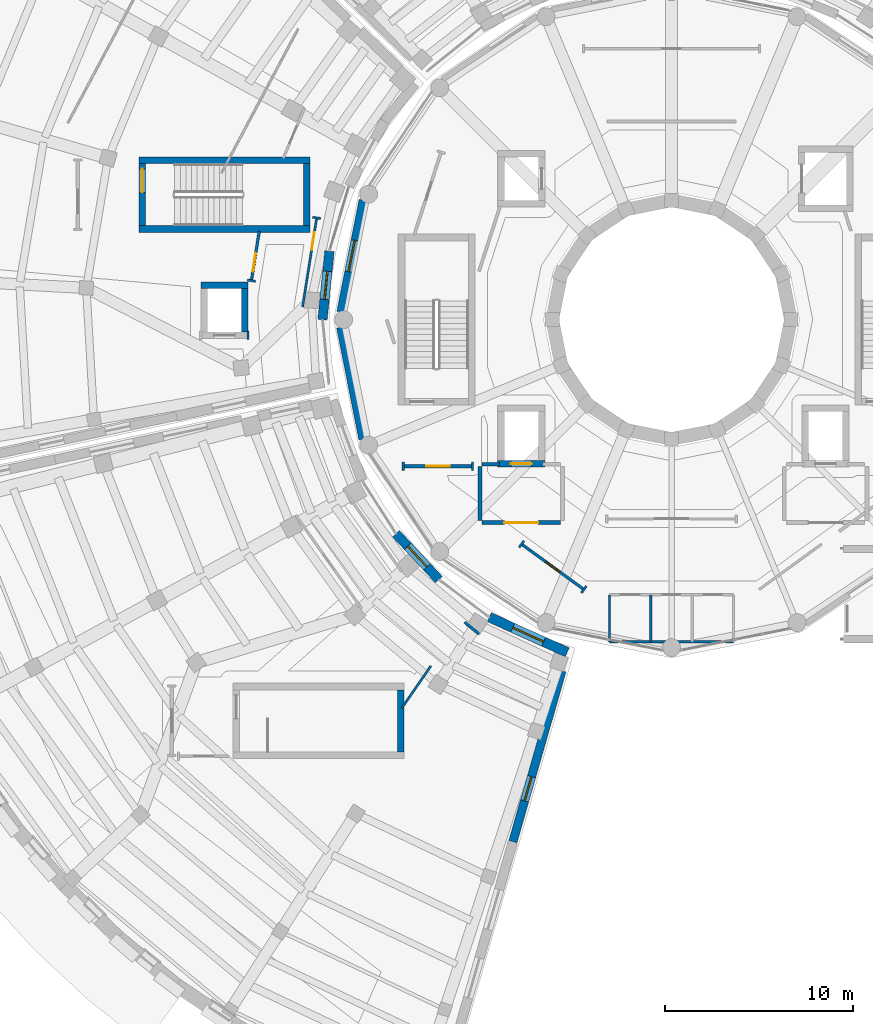
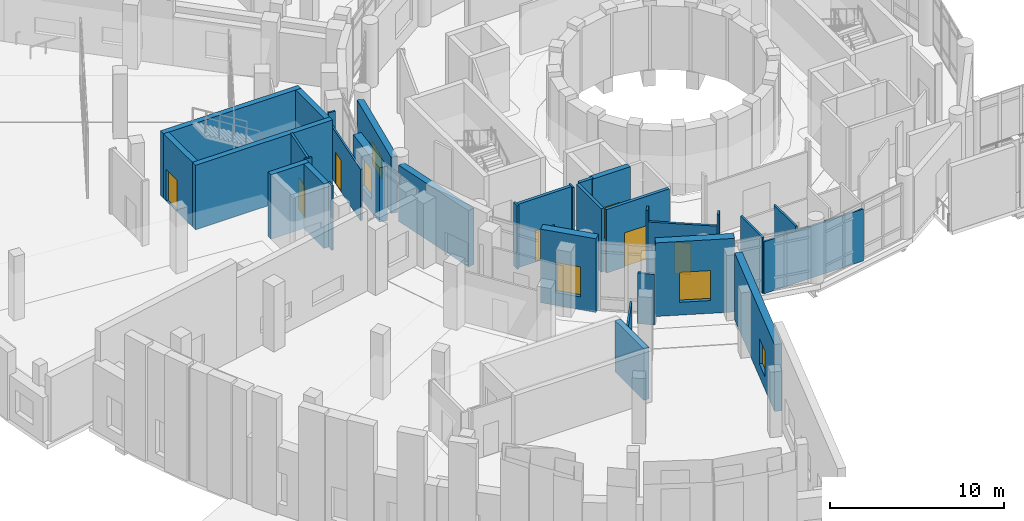
# One storey, part 62 of 89: 33 walls, 7 doors, 5 windows, 12 openings.
"""IFC4 building model written with IfcOpenShell, lengths in metres."""

from ifc_helpers import new_model, si_unit, direction, frame, frame_2d, origin, place, context, subcontext, project, spatial, rectangle, extrude, material, layer, layer_set, type_object, element, fill, save


model = new_model("IFC4")

# Units and contexts
model_context = context("Model", 3, precision=1e-05, world=origin(), true_north=direction((0.0, 1.0)))
body_context = subcontext(model_context, "Body", "Model", "MODEL_VIEW")
ifc_project = project(units=[si_unit("LENGTHUNIT", "METRE"), si_unit("AREAUNIT", "SQUARE_METRE"), si_unit("VOLUMEUNIT", "CUBIC_METRE"), si_unit("PLANEANGLEUNIT", "RADIAN"), si_unit("MASSUNIT", "GRAM", prefix="KILO")], contexts=[model_context])

# Site, building, storey
site_placement = place(None, origin())
site = spatial("IfcSite", under=ifc_project, at=site_placement, CompositionType="ELEMENT")
building_placement = place(site_placement, origin())
building = spatial("IfcBuilding", under=site, at=building_placement, Name="Soyqirgoq Riverine Aquarium", CompositionType="ELEMENT")
storey_placement = place(building_placement, frame((0.0, 0.0, 5.39990234375)))
storey = spatial("IfcBuildingStorey", under=building, at=storey_placement, Name="L02", CompositionType="ELEMENT", Elevation=5.39990234375)

# Wall, opening, door
ifc_material_1 = material(Name="Concrete C40/50", Category="concrete")
ifc_layer_1 = layer(ifc_material_1, 0.35009765625)
ifc_layer_set_1 = layer_set([ifc_layer_1], Name="Concrete C40/50")
wall_type_1 = type_object("IfcWallType", Name="CoreShearWall_350_C40", PredefinedType="SHEAR", material=ifc_layer_set_1)
wall_1_placement = place(storey_placement, frame((46.7451171875, 49.320068359375, 0.0), z_axis=(0.0, 0.0, 1.0), x_axis=(1.0, 0.0, 0.0)))
wall_1 = element("IfcWall", 1, at=wall_1_placement, inside=storey, type_object=wall_type_1, Name="Lift FFL-2 Shaft Wall L02 1", PredefinedType="SHEAR", context=body_context, shape_type="SweptSolid", body=[
    extrude(rectangle(XDim=2.509765625, YDim=0.35009765625, at=frame_2d((1.2548828125, 0.0))), origin(), (0.0, 0.0, 1.0), 4.4501953125),
])
opening_1_placement = place(wall_1_placement, frame((0.705078125, 0.0, 0.0)))
opening_1 = element("IfcOpeningElement", 2, at=opening_1_placement, cuts=wall_1, Name="Opening LD-01", PredefinedType="OPENING", context=body_context, shape_type="SweptSolid", body=[
    extrude(rectangle(XDim=1.10009765625, YDim=2.199951171875, at=frame_2d((0.550048828125, 1.10009765625))), frame((0.0, 0.18505859375, 0.0), z_axis=(0.0, -1.0, 0.0), x_axis=(1.0, 0.0, 0.0)), (0.0, 0.0, 1.0), 0.3701171875),
])
ifc_material_2 = material(Name="Brushed stainless steel telescopic lift landing door", Category="steel")
door_type_1 = type_object("IfcDoorType", Name="LiftLandingDoor_1100x2200", OperationType="SLIDING_TO_LEFT", PredefinedType="DOOR", material=ifc_material_2)
door_1_placement = place(opening_1_placement, origin())
door_1 = element("IfcDoor", 3, at=door_1_placement, inside=storey, type_object=door_type_1, Name="LD-FFL-2-L02 Lift FFL-2 L02 Sliding Landing Door", OperationType="SLIDING_TO_LEFT", OverallHeight=2.199951171875, OverallWidth=1.10009765625, PredefinedType="DOOR", context=body_context, shape_type="SweptSolid", body=[
    extrude(rectangle(XDim=1.10009765625, YDim=2.199951171875, at=frame_2d((0.550048828125, 1.10009765625))), frame((0.0, 0.02490234375, 0.0), z_axis=(0.0, -1.0, 0.0), x_axis=(1.0, 0.0, 0.0)), (0.0, 0.0, 1.0), 0.050048828125),
])
fill(opening_1, door_1)

# Walls
wall_2_placement = place(storey_placement, frame((41.574951171875, 34.0, 0.0), z_axis=(0.0, 0.0, 1.0), x_axis=(0.0, 1.0, 0.0)))
element("IfcWall", 4, at=wall_2_placement, inside=storey, type_object=wall_type_1, Name="CORE-2 L02 Stair Core Shear Wall BACK", PredefinedType="SHEAR", context=body_context, shape_type="SweptSolid", body=[
    extrude(rectangle(XDim=3.300048828125, YDim=0.35009765625, at=frame_2d((1.64990234375, 0.0))), origin(), (0.0, 0.0, 1.0), 3.60009765625),
])
wall_3_placement = place(storey_placement, frame((27.64990234375, 61.824951171875, 0.0), z_axis=(0.0, 0.0, 1.0), x_axis=(1.0, 0.0, 0.0)))
element("IfcWall", 5, at=wall_3_placement, inside=storey, type_object=wall_type_1, Name="CORE-3 L02 Stair Core Shear Wall SIDE1", PredefinedType="SHEAR", context=body_context, shape_type="SweptSolid", body=[
    extrude(rectangle(XDim=9.10009765625, YDim=0.35009765625, at=frame_2d((4.550048828125, 0.0))), origin(), (0.0, 0.0, 1.0), 4.52001953125),
])
wall_4_placement = place(storey_placement, frame((36.574951171875, 62.0, 0.0), z_axis=(0.0, 0.0, 1.0), x_axis=(0.0, 1.0, 0.0)))
element("IfcWall", 6, at=wall_4_placement, inside=storey, type_object=wall_type_1, Name="CORE-3 L02 Stair Core Shear Wall BACK", PredefinedType="SHEAR", context=body_context, shape_type="SweptSolid", body=[
    extrude(rectangle(XDim=3.300048828125, YDim=0.35009765625, at=frame_2d((1.64990234375, 0.0))), origin(), (0.0, 0.0, 1.0), 4.52001953125),
])
wall_5_placement = place(storey_placement, frame((36.75, 65.47509765625, 0.0), z_axis=(0.0, 0.0, 1.0), x_axis=(-1.0, 0.0, 0.0)))
element("IfcWall", 7, at=wall_5_placement, inside=storey, type_object=wall_type_1, Name="CORE-3 L02 Stair Core Shear Wall SIDE2", PredefinedType="SHEAR", context=body_context, shape_type="SweptSolid", body=[
    extrude(rectangle(XDim=9.10009765625, YDim=0.35009765625, at=frame_2d((4.550048828125, 0.0))), origin(), (0.0, 0.0, 1.0), 4.52001953125),
])

# Wall, opening, door
wall_6_placement = place(storey_placement, frame((27.824951171875, 65.300048828125, 0.0), z_axis=(0.0, 0.0, 1.0), x_axis=(0.0, -1.0, 0.0)))
wall_6 = element("IfcWall", 8, at=wall_6_placement, inside=storey, type_object=wall_type_1, Name="CORE-3 L02 Stair Core Shear Wall FRONT", PredefinedType="SHEAR", context=body_context, shape_type="SweptSolid", body=[
    extrude(rectangle(XDim=3.300048828125, YDim=0.35009765625, at=frame_2d((1.64990234375, 0.0))), origin(), (0.0, 0.0, 1.0), 4.52001953125),
])
opening_2_placement = place(wall_6_placement, frame((0.280029296875, 0.0, 0.0)))
opening_2 = element("IfcOpeningElement", 9, at=opening_2_placement, cuts=wall_6, Name="Opening FD-01", PredefinedType="OPENING", context=body_context, shape_type="SweptSolid", body=[
    extrude(rectangle(XDim=1.25, YDim=2.199951171875, at=frame_2d((0.625, 1.10009765625))), frame((0.0, 0.18505859375, 0.0), z_axis=(0.0, -1.0, 0.0), x_axis=(1.0, 0.0, 0.0)), (0.0, 0.0, 1.0), 0.3701171875),
])
ifc_material_3 = material(Name="Galvanised steel fire-resisting stair door", Category="steel")
door_type_2 = type_object("IfcDoorType", Name="StairFireDoor_1250x2200_EI90", OperationType="NOTDEFINED", PredefinedType="DOOR", material=ifc_material_3)
door_2_placement = place(opening_2_placement, origin())
door_2 = element("IfcDoor", 10, at=door_2_placement, inside=storey, type_object=door_type_2, Name="DR-ST-3-L02 ST-3 L02 Fire-Rated Stairwell Door", OperationType="SINGLE_SWING_LEFT", OverallHeight=2.199951171875, OverallWidth=1.25, PredefinedType="DOOR", context=body_context, shape_type="SweptSolid", body=[
    extrude(rectangle(XDim=1.25, YDim=2.199951171875, at=frame_2d((0.625, 1.10009765625))), frame((0.0, 0.02490234375, 0.0), z_axis=(0.0, -1.0, 0.0), x_axis=(1.0, 0.0, 0.0)), (0.0, 0.0, 1.0), 0.050048828125),
])
fill(opening_2, door_2)

# Walls
wall_7_placement = place(storey_placement, frame((33.280029296875, 56.344970703125, 0.0), z_axis=(0.0, 0.0, 1.0), x_axis=(0.0, 1.0, 0.0)))
element("IfcWall", 11, at=wall_7_placement, inside=storey, type_object=wall_type_1, Name="Lift PL-2 Shaft Wall L02 2", PredefinedType="SHEAR", context=body_context, shape_type="SweptSolid", body=[
    extrude(rectangle(XDim=2.31005859375, YDim=0.35009765625, at=frame_2d((1.155029296875, 0.0))), origin(), (0.0, 0.0, 1.0), 4.52001953125),
])
wall_8_placement = place(storey_placement, frame((33.455078125, 58.830078125, 0.0), z_axis=(0.0, 0.0, 1.0), x_axis=(-1.0, 0.0, 0.0)))
element("IfcWall", 12, at=wall_8_placement, inside=storey, type_object=wall_type_1, Name="Lift PL-2 Shaft Wall L02 3", PredefinedType="SHEAR", context=body_context, shape_type="SweptSolid", body=[
    extrude(rectangle(XDim=2.510009765625, YDim=0.35009765625, at=frame_2d((1.2548828125, 0.0))), origin(), (0.0, 0.0, 1.0), 4.52001953125),
])
ifc_material_4 = material(Name="Lightweight steel-stud gypsum partition", Category="steel")
ifc_layer_2 = layer(ifc_material_4, 0.1201171875)
ifc_layer_set_2 = layer_set([ifc_layer_2], Name="Lightweight steel-stud gypsum partition")
wall_type_2 = type_object("IfcWallType", Name="PartitionWall_120_Std", PredefinedType="PARTITIONING", material=ifc_layer_set_2)
for number, where, z_axis, x_axis, name in (
    (13, (41.723388671875, 48.97998046875, 0.0), (0.0, 0.0, 1.0), (0.0, 1.0, 0.0), "V1 L02 Jamb Return Pier"),
    (14, (45.39990234375, 48.97998046875, 0.0), (0.0, 0.0, 1.0), (0.0, 1.0, 0.0), "V1 L02 Jamb Return Pier"),
    (15, (47.885986328125, 44.8720703125, 0.0), (0.0, 0.0, 1.0), (0.587676645097, 0.809095890984, 0.0), "V1 L02 Jamb Return Pier"),
    (16, (51.20458984375, 42.4609375, 0.0), (0.0, 0.0, 1.0), (0.587676645097, 0.809095890984, 0.0), "V1 L02 Jamb Return Pier"),
):
    element("IfcWall", number, at=place(storey_placement, frame(where, z_axis=z_axis, x_axis=x_axis)), inside=storey, type_object=wall_type_2, Name=name, PredefinedType="PARTITIONING", context=body_context, shape_type="SweptSolid", body=[
        extrude(rectangle(XDim=0.43994140625, YDim=0.1201171875, at=frame_2d((0.219970703125, 0.0))), origin(), (0.0, 0.0, 1.0), 4.4501953125),
    ])
wall_9_placement = place(storey_placement, frame((41.64306640625, 36.32958984375, 0.0), z_axis=(0.0, 0.0, 1.0), x_axis=(0.567900399443, 0.823097282411, 0.0)))
element("IfcWall", 17, at=wall_9_placement, inside=storey, type_object=wall_type_2, Name="Members' Reading Lounge Partition Wall", PredefinedType="PARTITIONING", context=body_context, shape_type="SweptSolid", body=[
    extrude(rectangle(XDim=2.7255859375, YDim=0.1201171875, at=frame_2d((1.36279296875, 0.0))), origin(), (0.0, 0.0, 1.0), 3.550048828125),
])

# Wall, opening, door
wall_10_placement = place(storey_placement, frame((36.362060546875, 57.685791015625, 0.0), z_axis=(0.0, 0.0, 1.0), x_axis=(0.156391852422, 0.987695088829, 0.0)))
wall_10 = element("IfcWall", 18, at=wall_10_placement, inside=storey, type_object=wall_type_2, Name="V3 Gallery Circulation Corridor Partition Wall", PredefinedType="PARTITIONING", context=body_context, shape_type="SweptSolid", body=[
    extrude(rectangle(XDim=4.789306640625, YDim=0.1201171875, at=frame_2d((2.39453125, 0.0))), origin(), (0.0, 0.0, 1.0), 3.610107421875),
])
opening_3_placement = place(wall_10_placement, frame((3.071533203125, 0.0, 0.0)))
opening_3 = element("IfcOpeningElement", 19, at=opening_3_placement, cuts=wall_10, Name="Opening ID-06", PredefinedType="OPENING", context=body_context, shape_type="SweptSolid", body=[
    extrude(rectangle(XDim=0.949951171875, YDim=2.199951171875, at=frame_2d((0.47509765625, 1.10009765625))), frame((0.0, 0.070068359375, 0.0), z_axis=(0.0, -1.0, 0.0), x_axis=(1.0, 0.0, 0.0)), (0.0, 0.0, 1.0), 0.14013671875),
])
ifc_material_5 = material(Name="Moisture-resistant HPL washroom door", Category="wood")
door_type_3 = type_object("IfcDoorType", Name="WCDoor_950x2200", OperationType="NOTDEFINED", PredefinedType="DOOR", material=ifc_material_5)
door_3_placement = place(opening_3_placement, origin())
door_3 = element("IfcDoor", 20, at=door_3_placement, inside=storey, type_object=door_type_3, Name="IDR-V3-L02-0096 Aral Basin Gallery Door", OperationType="SINGLE_SWING_LEFT", OverallHeight=2.199951171875, OverallWidth=0.949951171875, PredefinedType="DOOR", context=body_context, shape_type="SweptSolid", body=[
    extrude(rectangle(XDim=0.949951171875, YDim=2.199951171875, at=frame_2d((0.47509765625, 1.10009765625))), frame((0.0, 0.02490234375, 0.0), z_axis=(0.0, -1.0, 0.0), x_axis=(1.0, 0.0, 0.0)), (0.0, 0.0, 1.0), 0.050048828125),
])
fill(opening_3, door_3)

# Walls
wall_11_placement = place(storey_placement, frame((33.455078125, 55.949951171875, 0.0), z_axis=(0.0, 0.0, 1.0), x_axis=(0.0, 1.0, 0.0)))
element("IfcWall", 21, at=wall_11_placement, inside=storey, type_object=wall_type_2, Name="V3 L02 Jamb Return Pier", PredefinedType="PARTITIONING", context=body_context, shape_type="SweptSolid", body=[
    extrude(rectangle(XDim=0.43994140625, YDim=0.1201171875, at=frame_2d((0.219970703125, 0.0))), origin(), (0.0, 0.0, 1.0), 4.52001953125),
])
wall_12_placement = place(storey_placement, frame((37.32861328125, 62.3818359375, 0.0), z_axis=(0.0, 0.0, 1.0), x_axis=(-0.987695424831, 0.156389730378, 0.0)))
element("IfcWall", 22, at=wall_12_placement, inside=storey, type_object=wall_type_2, Name="V3 L02 Jamb Return Pier", PredefinedType="PARTITIONING", context=body_context, shape_type="SweptSolid", body=[
    extrude(rectangle(XDim=0.440185546875, YDim=0.1201171875, at=frame_2d((0.22021484375, 0.0))), origin(), (0.0, 0.0, 1.0), 4.52001953125),
])
wall_13_placement = place(storey_placement, frame((33.854736328125, 59.041748046875, 0.0), z_axis=(0.0, 0.0, 1.0), x_axis=(-0.98768185006, 0.156475439167, 0.0)))
element("IfcWall", 23, at=wall_13_placement, inside=storey, type_object=wall_type_2, Name="V3 L02 Jamb Return Pier", PredefinedType="PARTITIONING", context=body_context, shape_type="SweptSolid", body=[
    extrude(rectangle(XDim=0.43994140625, YDim=0.1201171875, at=frame_2d((0.219970703125, 0.0))), origin(), (0.0, 0.0, 1.0), 4.52001953125),
])
ifc_material_6 = material(Name="Moisture-resistant cement-board wet-room partition", Category="gypsum")
ifc_layer_3 = layer(ifc_material_6, 0.125)
ifc_layer_set_3 = layer_set([ifc_layer_3], Name="Moisture-resistant cement-board wet-room partition")
wall_type_3 = type_object("IfcWallType", Name="PartitionWall_125_Wet", PredefinedType="PARTITIONING", material=ifc_layer_set_3)
wall_14_placement = place(storey_placement, frame((52.699951171875, 39.85009765625, 0.0), z_axis=(0.0, 0.0, 1.0), x_axis=(1.0, 0.0, 0.0)))
element("IfcWall", 24, at=wall_14_placement, inside=storey, type_object=wall_type_3, Name="V1 L02 WC Suite Back Wall", PredefinedType="PARTITIONING", context=body_context, shape_type="SweptSolid", body=[
    extrude(rectangle(XDim=6.60009765625, YDim=0.125, at=frame_2d((3.300048828125, 0.0))), origin(), (0.0, 0.0, 1.0), 3.64013671875),
])
for number, where, z_axis, x_axis, name in (
    (25, (52.699951171875, 39.85009765625, 0.0), (0.0, 0.0, 1.0), (0.0, 1.0, 0.0), "V1 L02 WC Suite West Wall"),
    (26, (54.89990234375, 39.85009765625, 0.0), (0.0, 0.0, 1.0), (0.0, 1.0, 0.0), "V1 L02 WC Cubicle Divider 1"),
):
    element("IfcWall", number, at=place(storey_placement, frame(where, z_axis=z_axis, x_axis=x_axis)), inside=storey, type_object=wall_type_3, Name=name, PredefinedType="PARTITIONING", context=body_context, shape_type="SweptSolid", body=[
        extrude(rectangle(XDim=2.5, YDim=0.125, at=frame_2d((1.25, 0.0))), origin(), (0.0, 0.0, 1.0), 3.940185546875),
    ])

# Wall, opening, door
ifc_material_7 = material(Name="Acoustic mineral-wool twin-stud partition", Category="gypsum")
ifc_layer_4 = layer(ifc_material_7, 0.14990234375)
ifc_layer_set_4 = layer_set([ifc_layer_4], Name="Acoustic mineral-wool twin-stud partition")
wall_type_4 = type_object("IfcWallType", Name="PartitionWall_150_Acoustic", PredefinedType="PARTITIONING", material=ifc_layer_set_4)
wall_15_placement = place(storey_placement, frame((48.015380859375, 45.050048828125, 0.0), z_axis=(0.0, 0.0, 1.0), x_axis=(0.808993389874, -0.587817739729, 0.0)))
wall_15 = element("IfcWall", 27, at=wall_15_placement, inside=storey, type_object=wall_type_4, Name="Ocean Drum Circulation Corridor Partition Wall", PredefinedType="PARTITIONING", context=body_context, shape_type="SweptSolid", body=[
    extrude(rectangle(XDim=4.101806640625, YDim=0.14990234375, at=frame_2d((2.05078125, 0.0))), origin(), (0.0, 0.0, 1.0), 3.5400390625),
])
opening_4_placement = place(wall_15_placement, frame((1.575927734375, 0.0, 0.0)))
opening_4 = element("IfcOpeningElement", 28, at=opening_4_placement, cuts=wall_15, Name="Opening ID-06", PredefinedType="OPENING", context=body_context, shape_type="SweptSolid", body=[
    extrude(rectangle(XDim=0.949951171875, YDim=2.199951171875, at=frame_2d((0.47509765625, 1.10009765625))), frame((0.0, 0.0849609375, 0.0), z_axis=(0.0, -1.0, 0.0), x_axis=(1.0, 0.0, 0.0)), (0.0, 0.0, 1.0), 0.169921875),
])
door_4_placement = place(opening_4_placement, origin())
door_4 = element("IfcDoor", 29, at=door_4_placement, inside=storey, type_object=door_type_3, Name="IDR-V1-L02-0032 Ocean Drum Circulation Corridor Access Door", OperationType="SINGLE_SWING_LEFT", OverallHeight=2.199951171875, OverallWidth=0.949951171875, PredefinedType="DOOR", context=body_context, shape_type="SweptSolid", body=[
    extrude(rectangle(XDim=0.949951171875, YDim=2.199951171875, at=frame_2d((0.47509765625, 1.10009765625))), frame((0.0, 0.02490234375, 0.0), z_axis=(0.0, -1.0, 0.0), x_axis=(1.0, 0.0, 0.0)), (0.0, 0.0, 1.0), 0.050048828125),
])
fill(opening_4, door_4)

# Wall
wall_16_placement = place(storey_placement, frame((44.986572265625, 40.894287109375, 0.0), z_axis=(0.0, 0.0, 1.0), x_axis=(0.774366027636, -0.632737904067, 0.0)))
element("IfcWall", 30, at=wall_16_placement, inside=storey, type_object=wall_type_4, Name="Mountain Stream Exhibit Room Partition Wall", PredefinedType="PARTITIONING", context=body_context, shape_type="SweptSolid", body=[
    extrude(rectangle(XDim=0.984375, YDim=0.14990234375, at=frame_2d((0.4921875, 0.0))), origin(), (0.0, 0.0, 1.0), 3.550048828125),
])

# Wall, opening, door
wall_17_placement = place(storey_placement, frame((33.637451171875, 59.076171875, 0.0), z_axis=(0.0, 0.0, 1.0), x_axis=(0.156485085327, 0.9876803218, 0.0)))
wall_17 = element("IfcWall", 31, at=wall_17_placement, inside=storey, type_object=wall_type_4, Name="Aral Basin Gallery Partition Wall", PredefinedType="PARTITIONING", context=body_context, shape_type="SweptSolid", body=[
    extrude(rectangle(XDim=2.6630859375, YDim=0.14990234375, at=frame_2d((1.33154296875, 0.0))), origin(), (0.0, 0.0, 1.0), 4.52001953125),
])
opening_5_placement = place(wall_17_placement, frame((0.4912109375, 0.0, 0.0)))
opening_5 = element("IfcOpeningElement", 32, at=opening_5_placement, cuts=wall_17, Name="Opening ID-03", PredefinedType="OPENING", context=body_context, shape_type="SweptSolid", body=[
    extrude(rectangle(XDim=1.0, YDim=2.199951171875, at=frame_2d((0.5, 1.10009765625))), frame((0.0, 0.0849609375, 0.0), z_axis=(0.0, -1.0, 0.0), x_axis=(1.0, 0.0, 0.0)), (0.0, 0.0, 1.0), 0.169921875),
])
ifc_material_8 = material(Name="Solid-core ash veneer room door", Category="wood")
door_type_4 = type_object("IfcDoorType", Name="RoomDoor_1000x2200", OperationType="NOTDEFINED", PredefinedType="DOOR", material=ifc_material_8)
door_5_placement = place(opening_5_placement, origin())
door_5 = element("IfcDoor", 33, at=door_5_placement, inside=storey, type_object=door_type_4, Name="IDR-V3-L02-0097 V3 Gallery Circulation Corridor Door", OperationType="SINGLE_SWING_RIGHT", OverallHeight=2.199951171875, OverallWidth=1.0, PredefinedType="DOOR", context=body_context, shape_type="SweptSolid", body=[
    extrude(rectangle(XDim=1.0, YDim=2.199951171875, at=frame_2d((0.5, 1.10009765625))), frame((0.0, 0.02490234375, 0.0), z_axis=(0.0, -1.0, 0.0), x_axis=(1.0, 0.0, 0.0)), (0.0, 0.0, 1.0), 0.050048828125),
])
fill(opening_5, door_5)

ifc_material_9 = material(Name="Fire-rated calcium silicate twin-stud partition", Category="gypsum")
ifc_layer_5 = layer(ifc_material_9, 0.199951171875)
ifc_layer_set_5 = layer_set([ifc_layer_5], Name="Fire-rated calcium silicate twin-stud partition")
wall_type_5 = type_object("IfcWallType", Name="PartitionWall_200_EI90", PredefinedType="PARTITIONING", material=ifc_layer_set_5)
wall_18_placement = place(storey_placement, frame((45.919921875, 46.199951171875, 0.0), z_axis=(0.0, 0.0, 1.0), x_axis=(1.0, 0.0, 0.0)))
wall_18 = element("IfcWall", 34, at=wall_18_placement, inside=storey, type_object=wall_type_5, Name="CORE-1B L02 Firefighting Lobby South Enclosure Wall", PredefinedType="PARTITIONING", context=body_context, shape_type="SweptSolid", body=[
    extrude(rectangle(XDim=4.16015625, YDim=0.199951171875, at=frame_2d((2.080078125, 0.0))), origin(), (0.0, 0.0, 1.0), 4.4501953125),
])
opening_6_placement = place(wall_18_placement, frame((1.179931640625, 0.0, 0.0)))
opening_6 = element("IfcOpeningElement", 35, at=opening_6_placement, cuts=wall_18, Name="Opening FD-02", PredefinedType="OPENING", context=body_context, shape_type="SweptSolid", body=[
    extrude(rectangle(XDim=1.800048828125, YDim=2.39990234375, at=frame_2d((0.89990234375, 1.199951171875))), frame((0.0, 0.10986328125, 0.0), z_axis=(0.0, -1.0, 0.0), x_axis=(1.0, 0.0, 0.0)), (0.0, 0.0, 1.0), 0.219970703125),
])
ifc_material_10 = material(Name="Glazed steel fire-resisting corridor double door", Category="steel")
door_type_5 = type_object("IfcDoorType", Name="LobbyFireDoor_1800x2400_EI60", OperationType="DOUBLE_DOOR_SINGLE_SWING", PredefinedType="DOOR", material=ifc_material_10)
door_6_placement = place(opening_6_placement, origin())
door_6 = element("IfcDoor", 36, at=door_6_placement, inside=storey, type_object=door_type_5, Name="DR-FFL-CORE-1B-L02 CORE-1B L02 Firefighting Lobby Fire Door", OperationType="DOUBLE_DOOR_SINGLE_SWING", OverallHeight=2.39990234375, OverallWidth=1.800048828125, PredefinedType="DOOR", context=body_context, shape_type="SweptSolid", body=[
    extrude(rectangle(XDim=1.800048828125, YDim=2.39990234375, at=frame_2d((0.89990234375, 1.199951171875))), frame((0.0, 0.02490234375, 0.0), z_axis=(0.0, -1.0, 0.0), x_axis=(1.0, 0.0, 0.0)), (0.0, 0.0, 1.0), 0.050048828125),
])
fill(opening_6, door_6)

# Walls
wall_19_placement = place(storey_placement, frame((45.800048828125, 46.320068359375, 0.0), z_axis=(0.0, 0.0, 1.0), x_axis=(0.0, 1.0, 0.0)))
element("IfcWall", 37, at=wall_19_placement, inside=storey, type_object=wall_type_5, Name="CORE-1B L02 Firefighting Lobby W Wall", PredefinedType="PARTITIONING", context=body_context, shape_type="SweptSolid", body=[
    extrude(rectangle(XDim=2.85986328125, YDim=0.199951171875, at=frame_2d((1.429931640625, 0.0))), origin(), (0.0, 0.0, 1.0), 4.4501953125),
])
wall_20_placement = place(storey_placement, frame((45.919921875, 49.300048828125, 0.0), z_axis=(0.0, 0.0, 1.0), x_axis=(1.0, 0.0, 0.0)))
element("IfcWall", 38, at=wall_20_placement, inside=storey, type_object=wall_type_5, Name="CORE-1B L02 Firefighting Lobby NL Wall", PredefinedType="PARTITIONING", context=body_context, shape_type="SweptSolid", body=[
    extrude(rectangle(XDim=0.93017578125, YDim=0.199951171875, at=frame_2d((0.465087890625, 0.0))), origin(), (0.0, 0.0, 1.0), 4.4501953125),
])

# Wall, opening, door
wall_21_placement = place(storey_placement, frame((41.723388671875, 49.199951171875, 0.0), z_axis=(0.0, 0.0, 1.0), x_axis=(1.0, 0.0, 0.0)))
wall_21 = element("IfcWall", 39, at=wall_21_placement, inside=storey, type_object=wall_type_5, Name="Stair Vestibule ST-9 Fire Enclosure Wall", PredefinedType="PARTITIONING", context=body_context, shape_type="SweptSolid", body=[
    extrude(rectangle(XDim=3.676513671875, YDim=0.199951171875, at=frame_2d((1.83837890625, 0.0))), origin(), (0.0, 0.0, 1.0), 4.4501953125),
])
opening_7_placement = place(wall_21_placement, frame((1.21337890625, 0.0, 0.0)))
opening_7 = element("IfcOpeningElement", 40, at=opening_7_placement, cuts=wall_21, Name="Opening FD-01", PredefinedType="OPENING", context=body_context, shape_type="SweptSolid", body=[
    extrude(rectangle(XDim=1.25, YDim=2.199951171875, at=frame_2d((0.625, 1.10009765625))), frame((0.0, 0.10986328125, 0.0), z_axis=(0.0, -1.0, 0.0), x_axis=(1.0, 0.0, 0.0)), (0.0, 0.0, 1.0), 0.219970703125),
])
door_7_placement = place(opening_7_placement, origin())
door_7 = element("IfcDoor", 41, at=door_7_placement, inside=storey, type_object=door_type_2, Name="IDR-V1-L02-0027 Stair Vestibule ST-9 Egress Fire Door", OperationType="SINGLE_SWING_LEFT", OverallHeight=2.199951171875, OverallWidth=1.25, PredefinedType="DOOR", context=body_context, shape_type="SweptSolid", body=[
    extrude(rectangle(XDim=1.25, YDim=2.199951171875, at=frame_2d((0.625, 1.10009765625))), frame((0.0, 0.02490234375, 0.0), z_axis=(0.0, -1.0, 0.0), x_axis=(1.0, 0.0, 0.0)), (0.0, 0.0, 1.0), 0.050048828125),
])
fill(opening_7, door_7)

# Wall, opening, window
ifc_material_11 = material(Name="Honed travertine limestone cavity wall", Category="masonry")
ifc_layer_6 = layer(ifc_material_11, 0.449951171875)
ifc_layer_set_6 = layer_set([ifc_layer_6], Name="Honed travertine limestone cavity wall")
wall_type_6 = type_object("IfcWallType", Name="TravertineCavityWall_450", PredefinedType="SOLIDWALL", material=ifc_layer_set_6)
wall_22_placement = place(storey_placement, frame((50.164306640625, 38.318115234375, 0.0), z_axis=(0.0, 0.0, 1.0), x_axis=(-0.275609677068, -0.961269632261, 0.0)))
wall_22 = element("IfcWall", 42, at=wall_22_placement, inside=storey, type_object=wall_type_6, Name="V2 L02 Exterior Travertine Wall 0076", PredefinedType="SOLIDWALL", context=body_context, shape_type="SweptSolid", body=[
    extrude(rectangle(XDim=9.47021484375, YDim=0.449951171875, at=frame_2d((4.735107421875, 0.0))), origin(), (0.0, 0.0, 1.0), 4.693359375),
])
opening_8_placement = place(wall_22_placement, frame((5.860107421875, 0.0, 0.89990234375)))
opening_8 = element("IfcOpeningElement", 43, at=opening_8_placement, cuts=wall_22, Name="Opening WN-08", PredefinedType="OPENING", context=body_context, shape_type="SweptSolid", body=[
    extrude(rectangle(XDim=1.35009765625, YDim=1.800048828125, at=frame_2d((0.675048828125, 0.89990234375))), frame((0.0, 0.23486328125, 0.0), z_axis=(0.0, -1.0, 0.0), x_axis=(1.0, 0.0, 0.0)), (0.0, 0.0, 1.0), 0.469970703125),
])
ifc_material_12 = material(Name="Thermally broken aluminium triple low-E window", Category="aluminium")
window_type_1 = type_object("IfcWindowType", Name="Win_Office_1350x1800", PartitioningType="DOUBLE_PANEL_VERTICAL", PredefinedType="WINDOW", material=ifc_material_12)
window_1_placement = place(opening_8_placement, origin())
window_1 = element("IfcWindow", 44, at=window_1_placement, inside=storey, type_object=window_type_1, Name="V2 L02 Facade Window 0038", OverallHeight=1.800048828125, OverallWidth=1.35009765625, PartitioningType="DOUBLE_PANEL_VERTICAL", PredefinedType="WINDOW", context=body_context, shape_type="SweptSolid", body=[
    extrude(rectangle(XDim=1.35009765625, YDim=1.800048828125, at=frame_2d((0.675048828125, 0.89990234375))), frame((0.0, 0.030029296875, 0.0), z_axis=(0.0, -1.0, 0.0), x_axis=(1.0, 0.0, 0.0)), (0.0, 0.0, 1.0), 0.06005859375),
])
fill(opening_8, window_1)

ifc_material_13 = material(Name="Honed travertine limestone cavity wall", Category="masonry")
ifc_layer_7 = layer(ifc_material_13, 0.5)
ifc_layer_set_7 = layer_set([ifc_layer_7], Name="Honed travertine limestone cavity wall")
wall_type_7 = type_object("IfcWallType", Name="TravertineCavityWall_500", PredefinedType="SOLIDWALL", material=ifc_layer_set_7)
wall_23_placement = place(storey_placement, frame((41.333251953125, 45.609619140625, 0.0), z_axis=(0.0, 0.0, 1.0), x_axis=(0.681967080434, -0.731382869094, 0.0)))
wall_23 = element("IfcWall", 45, at=wall_23_placement, inside=storey, type_object=wall_type_7, Name="V2 L02 Exterior Travertine Wall 0074", PredefinedType="SOLIDWALL", context=body_context, shape_type="SweptSolid", body=[
    extrude(rectangle(XDim=3.3447265625, YDim=0.5, at=frame_2d((1.67236328125, 0.0))), origin(), (0.0, 0.0, 1.0), 5.16015625),
])
opening_9_placement = place(wall_23_placement, frame((0.92236328125, 0.0, 0.89990234375)))
opening_9 = element("IfcOpeningElement", 46, at=opening_9_placement, cuts=wall_23, Name="Opening WN-04", PredefinedType="OPENING", context=body_context, shape_type="SweptSolid", body=[
    extrude(rectangle(XDim=1.5, YDim=2.10009765625, at=frame_2d((0.75, 1.050048828125))), frame((0.0, 0.260009765625, 0.0), z_axis=(0.0, -1.0, 0.0), x_axis=(1.0, 0.0, 0.0)), (0.0, 0.0, 1.0), 0.52001953125),
])
ifc_material_14 = material(Name="Thermally broken aluminium triple low-E window", Category="aluminium")
window_type_2 = type_object("IfcWindowType", Name="Win_Gallery_1500x2100", PartitioningType="DOUBLE_PANEL_VERTICAL", PredefinedType="WINDOW", material=ifc_material_14)
window_2_placement = place(opening_9_placement, origin())
window_2 = element("IfcWindow", 47, at=window_2_placement, inside=storey, type_object=window_type_2, Name="V2 L02 Facade Window 0036", OverallHeight=2.10009765625, OverallWidth=1.5, PartitioningType="DOUBLE_PANEL_VERTICAL", PredefinedType="WINDOW", context=body_context, shape_type="SweptSolid", body=[
    extrude(rectangle(XDim=1.5, YDim=2.10009765625, at=frame_2d((0.75, 1.050048828125))), frame((0.0, 0.030029296875, 0.0), z_axis=(0.0, -1.0, 0.0), x_axis=(1.0, 0.0, 0.0)), (0.0, 0.0, 1.0), 0.06005859375),
])
fill(opening_9, window_2)

wall_24_placement = place(storey_placement, frame((37.791748046875, 60.6494140625, 0.0), z_axis=(0.0, 0.0, 1.0), x_axis=(-0.101618529077, -0.994823438882, 0.0)))
wall_24 = element("IfcWall", 48, at=wall_24_placement, inside=storey, type_object=wall_type_7, Name="V3 L02 Exterior Travertine Wall 0118", PredefinedType="SOLIDWALL", context=body_context, shape_type="SweptSolid", body=[
    extrude(rectangle(XDim=3.668701171875, YDim=0.5, at=frame_2d((1.83447265625, 0.0))), origin(), (0.0, 0.0, 1.0), 3.81005859375),
])
opening_10_placement = place(wall_24_placement, frame((1.084228515625, 0.0, 0.89990234375)))
opening_10 = element("IfcOpeningElement", 49, at=opening_10_placement, cuts=wall_24, Name="Opening WN-04", PredefinedType="OPENING", context=body_context, shape_type="SweptSolid", body=[
    extrude(rectangle(XDim=1.5, YDim=2.10009765625, at=frame_2d((0.75, 1.050048828125))), frame((0.0, 0.260009765625, 0.0), z_axis=(0.0, -1.0, 0.0), x_axis=(1.0, 0.0, 0.0)), (0.0, 0.0, 1.0), 0.52001953125),
])
window_3_placement = place(opening_10_placement, origin())
window_3 = element("IfcWindow", 50, at=window_3_placement, inside=storey, type_object=window_type_2, Name="V3 L02 Facade Window 0075", OverallHeight=2.10009765625, OverallWidth=1.5, PartitioningType="DOUBLE_PANEL_VERTICAL", PredefinedType="WINDOW", context=body_context, shape_type="SweptSolid", body=[
    extrude(rectangle(XDim=1.5, YDim=2.10009765625, at=frame_2d((0.75, 1.050048828125))), frame((0.0, 0.030029296875, 0.0), z_axis=(0.0, -1.0, 0.0), x_axis=(1.0, 0.0, 0.0)), (0.0, 0.0, 1.0), 0.06005859375),
])
fill(opening_10, window_3)

ifc_material_15 = material(Name="Honed travertine limestone cavity wall", Category="masonry")
ifc_layer_8 = layer(ifc_material_15, 0.52001953125)
ifc_layer_set_8 = layer_set([ifc_layer_8], Name="Honed travertine limestone cavity wall")
wall_type_8 = type_object("IfcWallType", Name="TravertineCavityWall_520", PredefinedType="SOLIDWALL", material=ifc_layer_set_8)
wall_25_placement = place(storey_placement, frame((46.297119140625, 41.166259765625, 0.0), z_axis=(0.0, 0.0, 1.0), x_axis=(0.911600950939, -0.411076277894, 0.0)))
wall_25 = element("IfcWall", 51, at=wall_25_placement, inside=storey, type_object=wall_type_8, Name="V2 L02 Exterior Travertine Wall 0075", PredefinedType="SOLIDWALL", context=body_context, shape_type="SweptSolid", body=[
    extrude(rectangle(XDim=4.5498046875, YDim=0.52001953125, at=frame_2d((2.27490234375, 0.0))), origin(), (0.0, 0.0, 1.0), 5.16015625),
])
opening_11_placement = place(wall_25_placement, frame((1.375, 0.0, 0.89990234375)))
opening_11 = element("IfcOpeningElement", 52, at=opening_11_placement, cuts=wall_25, Name="Opening WN-05", PredefinedType="OPENING", context=body_context, shape_type="SweptSolid", body=[
    extrude(rectangle(XDim=1.800048828125, YDim=2.10009765625, at=frame_2d((0.89990234375, 1.050048828125))), frame((0.0, 0.27001953125, 0.0), z_axis=(0.0, -1.0, 0.0), x_axis=(1.0, 0.0, 0.0)), (0.0, 0.0, 1.0), 0.5400390625),
])
ifc_material_16 = material(Name="Thermally broken aluminium triple low-E window", Category="aluminium")
window_type_3 = type_object("IfcWindowType", Name="Win_Gallery_1800x2100", PartitioningType="DOUBLE_PANEL_VERTICAL", PredefinedType="WINDOW", material=ifc_material_16)
window_4_placement = place(opening_11_placement, origin())
window_4 = element("IfcWindow", 53, at=window_4_placement, inside=storey, type_object=window_type_3, Name="V2 L02 Facade Window 0037", OverallHeight=2.10009765625, OverallWidth=1.800048828125, PartitioningType="DOUBLE_PANEL_VERTICAL", PredefinedType="WINDOW", context=body_context, shape_type="SweptSolid", body=[
    extrude(rectangle(XDim=1.800048828125, YDim=2.10009765625, at=frame_2d((0.89990234375, 1.050048828125))), frame((0.0, 0.030029296875, 0.0), z_axis=(0.0, -1.0, 0.0), x_axis=(1.0, 0.0, 0.0)), (0.0, 0.0, 1.0), 0.06005859375),
])
fill(opening_11, window_4)

ifc_material_17 = material(Name="Honed travertine limestone cavity wall", Category="masonry")
ifc_layer_9 = layer(ifc_material_17, 0.39990234375)
ifc_layer_set_9 = layer_set([ifc_layer_9], Name="Honed travertine limestone cavity wall")
wall_type_9 = type_object("IfcWallType", Name="TravertineSpandrelWall_400", PredefinedType="SOLIDWALL", material=ifc_layer_set_9)
wall_26_placement = place(storey_placement, frame((38.3818359375, 57.411865234375, 0.0), z_axis=(0.0, 0.0, 1.0), x_axis=(0.195109895888, 0.980781386715, 0.0)))
wall_26 = element("IfcWall", 54, at=wall_26_placement, inside=storey, type_object=wall_type_9, Name="V1 L02 Exterior Travertine Wall 0029", PredefinedType="SOLIDWALL", context=body_context, shape_type="SweptSolid", body=[
    extrude(rectangle(XDim=6.06640625, YDim=0.39990234375, at=frame_2d((3.033203125, 0.0))), origin(), (0.0, 0.0, 1.0), 3.940185546875),
])
opening_12_placement = place(wall_26_placement, frame((2.18310546875, 0.0, 0.89990234375)))
opening_12 = element("IfcOpeningElement", 55, at=opening_12_placement, cuts=wall_26, Name="Opening WN-21", PredefinedType="OPENING", context=body_context, shape_type="SweptSolid", body=[
    extrude(rectangle(XDim=1.699951171875, YDim=1.550048828125, at=frame_2d((0.85009765625, 0.77490234375))), frame((0.0, 0.2099609375, 0.0), z_axis=(0.0, -1.0, 0.0), x_axis=(1.0, 0.0, 0.0)), (0.0, 0.0, 1.0), 0.419921875),
])
ifc_material_18 = material(Name="Thermally broken aluminium triple low-E window", Category="aluminium")
window_type_4 = type_object("IfcWindowType", Name="Win_Lab_1700x1550", PartitioningType="DOUBLE_PANEL_VERTICAL", PredefinedType="WINDOW", material=ifc_material_18)
window_5_placement = place(opening_12_placement, origin())
window_5 = element("IfcWindow", 56, at=window_5_placement, inside=storey, type_object=window_type_4, Name="V1 L02 Facade Window 0015", OverallHeight=1.550048828125, OverallWidth=1.699951171875, PartitioningType="DOUBLE_PANEL_VERTICAL", PredefinedType="WINDOW", context=body_context, shape_type="SweptSolid", body=[
    extrude(rectangle(XDim=1.699951171875, YDim=1.550048828125, at=frame_2d((0.85009765625, 0.77490234375))), frame((0.0, 0.030029296875, 0.0), z_axis=(0.0, -1.0, 0.0), x_axis=(1.0, 0.0, 0.0)), (0.0, 0.0, 1.0), 0.06005859375),
])
fill(opening_12, window_5)

# Wall
ifc_material_19 = material(Name="Honed travertine limestone cavity wall", Category="masonry")
ifc_layer_10 = layer(ifc_material_19, 0.419921875)
ifc_layer_set_10 = layer_set([ifc_layer_10], Name="Honed travertine limestone cavity wall")
wall_type_10 = type_object("IfcWallType", Name="TravertineSpandrelWall_420", PredefinedType="SOLIDWALL", material=ifc_layer_set_10)
wall_27_placement = place(storey_placement, frame((39.5654296875, 50.638427734375, 0.0), z_axis=(0.0, 0.0, 1.0), x_axis=(-0.195109895888, 0.980781386715, 0.0)))
element("IfcWall", 57, at=wall_27_placement, inside=storey, type_object=wall_type_10, Name="V1 L02 Exterior Travertine Wall 0035", PredefinedType="SOLIDWALL", context=body_context, shape_type="SweptSolid", body=[
    extrude(rectangle(XDim=6.06640625, YDim=0.419921875, at=frame_2d((3.033203125, 0.0))), origin(), (0.0, 0.0, 1.0), 3.940185546875),
])

save(model, "model.ifc")
